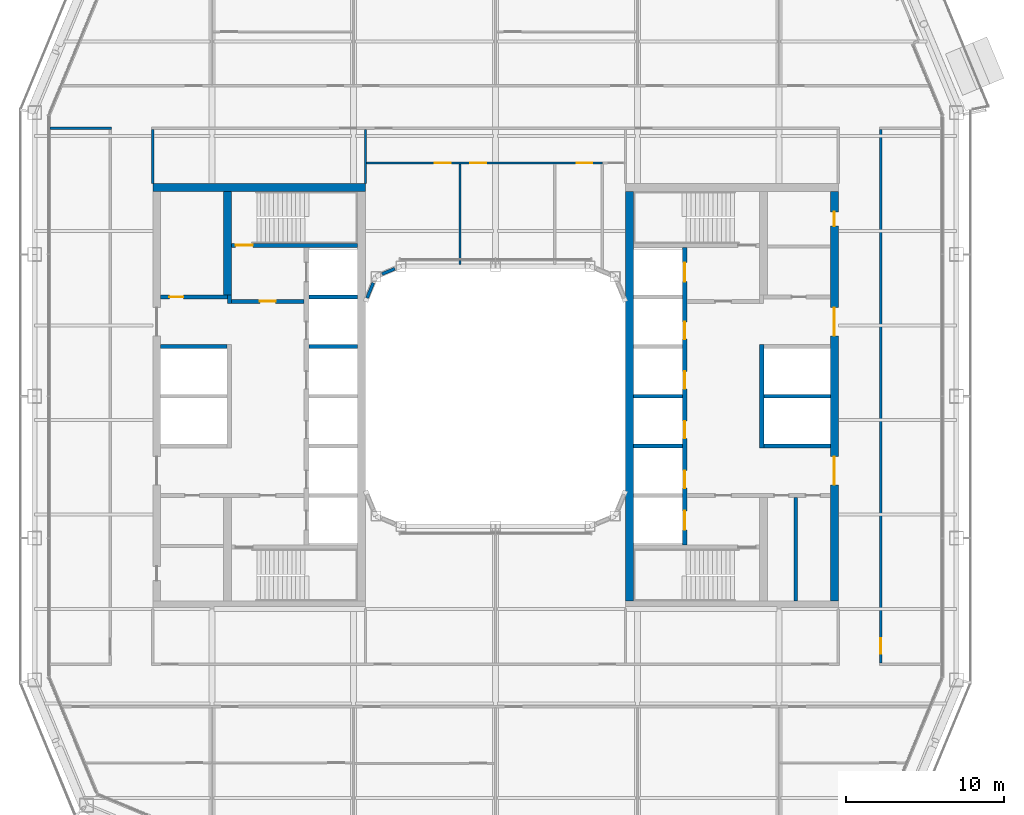
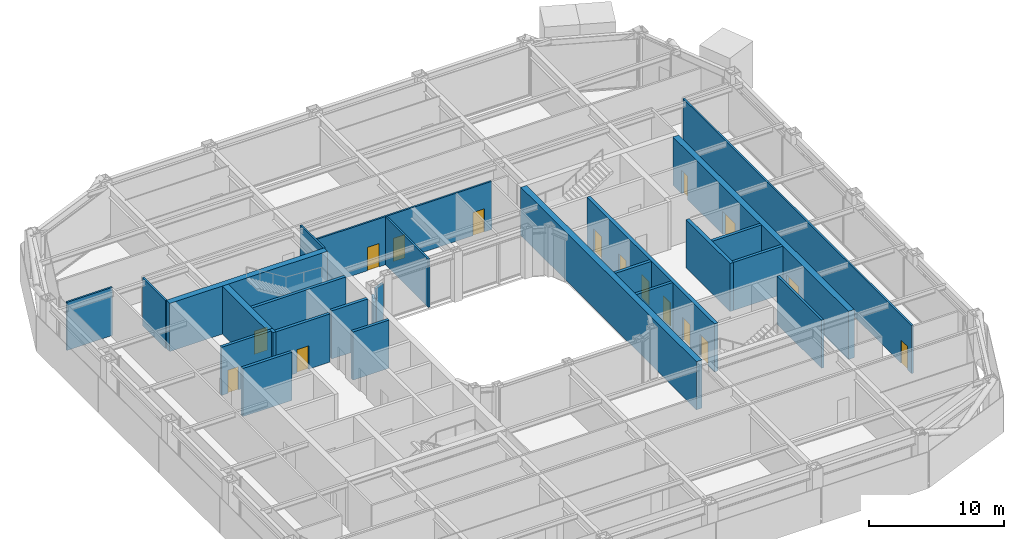
# One storey, part 13 of 24: 26 walls, 16 doors, 16 openings.
"""IFC4 building model written with IfcOpenShell, lengths in metres."""

from ifc_helpers import new_model, si_unit, direction, frame, frame_2d, origin, place, context, subcontext, project, spatial, rectangle, extrude, material, layer, layer_set, type_object, element, fill, save


model = new_model("IFC4")

# Units and contexts
model_context = context("Model", 3, precision=1e-05, world=origin(), true_north=direction((0.0, 1.0)))
body_context = subcontext(model_context, "Body", "Model", "MODEL_VIEW")
ifc_project = project(units=[si_unit("LENGTHUNIT", "METRE"), si_unit("AREAUNIT", "SQUARE_METRE"), si_unit("VOLUMEUNIT", "CUBIC_METRE"), si_unit("PLANEANGLEUNIT", "RADIAN"), si_unit("MASSUNIT", "GRAM", prefix="KILO")], contexts=[model_context])

# Site, building, storey
site_placement = place(None, origin())
site = spatial("IfcSite", under=ifc_project, at=site_placement, CompositionType="ELEMENT")
building_placement = place(site_placement, origin())
building = spatial("IfcBuilding", under=site, at=building_placement, Name="Siwar Civic Tower", CompositionType="ELEMENT")
storey_placement = place(building_placement, frame((0.0, 0.0, 149.699951171875)))
storey = spatial("IfcBuildingStorey", under=building, at=storey_placement, Name="L32", CompositionType="ELEMENT", Elevation=149.699951171875)

# Wall
ifc_material_1 = material(Name="Gypsum board on steel studs", Category="steel")
ifc_layer_1 = layer(ifc_material_1, 0.199951171875)
ifc_layer_set_1 = layer_set([ifc_layer_1], Name="Gypsum board on steel studs")
wall_type_1 = type_object("IfcWallType", Name="CORE-PARTITION-200", PredefinedType="PARTITIONING", material=ifc_layer_set_1)
wall_1_placement = place(storey_placement, frame((19.050048828125, -13.0, 0.0), z_axis=(0.0, 0.0, 1.0), x_axis=(0.0, 1.0, 0.0)))
element("IfcWall", 1, at=wall_1_placement, inside=storey, type_object=wall_type_1, Name="Core partition E", PredefinedType="PARTITIONING", context=body_context, shape_type="SweptSolid", body=[
    extrude(rectangle(XDim=6.574951171875, YDim=0.199951171875, at=frame_2d((3.28759765625, 0.0))), origin(), (0.0, 0.0, 1.0), 4.35009765625),
])

# Wall, opening, door
ifc_material_2 = material(Name="Concrete C60/75", Category="concrete")
ifc_layer_2 = layer(ifc_material_2, 0.25)
ifc_layer_set_2 = layer_set([ifc_layer_2], Name="Concrete C60/75")
wall_type_2 = type_object("IfcWallType", Name="CORE-WALL-RC250", PredefinedType="SHEAR", material=ifc_layer_set_2)
wall_2_placement = place(storey_placement, frame((-12.14990234375, 6.02490234375, 0.0), z_axis=(0.0, 0.0, 1.0), x_axis=(-1.0, 0.0, 0.0)))
wall_2 = element("IfcWall", 2, at=wall_2_placement, inside=storey, type_object=wall_type_2, Name="Core wall W", PredefinedType="SHEAR", context=body_context, shape_type="SweptSolid", body=[
    extrude(rectangle(XDim=4.60009765625, YDim=0.25, at=frame_2d((2.300048828125, 0.0))), origin(), (0.0, 0.0, 1.0), 4.35009765625),
])
opening_1_placement = place(wall_2_placement, frame((1.800048828125, 0.0, 0.0)))
opening_1 = element("IfcOpeningElement", 3, at=opening_1_placement, cuts=wall_2, Name="Opening L32-CW01", PredefinedType="OPENING", context=body_context, shape_type="SweptSolid", body=[
    extrude(rectangle(XDim=1.0, YDim=2.10009765625, at=frame_2d((0.5, 1.050048828125))), frame((0.0, 0.135009765625, 0.0), z_axis=(0.0, -1.0, 0.0), x_axis=(1.0, 0.0, 0.0)), (0.0, 0.0, 1.0), 0.27001953125),
])
ifc_material_3 = material(Name="Steel door leaf", Category="steel")
door_type_1 = type_object("IfcDoorType", Name="CORE-DOOR-FD30S", OperationType="SINGLE_SWING_LEFT", PredefinedType="DOOR", material=ifc_material_3)
door_1_placement = place(opening_1_placement, origin())
door_1 = element("IfcDoor", 4, at=door_1_placement, inside=storey, type_object=door_type_1, Name="Firefighting lobby door L32-CW01", OperationType="SINGLE_SWING_LEFT", OverallHeight=2.10009765625, OverallWidth=1.0, PredefinedType="DOOR", context=body_context, shape_type="SweptSolid", body=[
    extrude(rectangle(XDim=1.0, YDim=2.10009765625, at=frame_2d((0.5, 1.050048828125))), frame((0.0, 0.02490234375, 0.0), z_axis=(0.0, -1.0, 0.0), x_axis=(1.0, 0.0, 0.0)), (0.0, 0.0, 1.0), 0.050048828125),
])
fill(opening_1, door_1)

# Wall
wall_3_placement = place(storey_placement, frame((-16.875, 5.89990234375, 0.0), z_axis=(0.0, 0.0, 1.0), x_axis=(0.0, 1.0, 0.0)))
element("IfcWall", 5, at=wall_3_placement, inside=storey, type_object=wall_type_2, Name="Core wall W", PredefinedType="SHEAR", context=body_context, shape_type="SweptSolid", body=[
    extrude(rectangle(XDim=0.525146484375, YDim=0.25, at=frame_2d((0.2626953125, 0.0))), origin(), (0.0, 0.0, 1.0), 4.35009765625),
])

# Wall, opening, door
wall_4_placement = place(storey_placement, frame((-17.0, 6.300048828125, 0.0), z_axis=(0.0, 0.0, 1.0), x_axis=(-1.0, 0.0, 0.0)))
wall_4 = element("IfcWall", 6, at=wall_4_placement, inside=storey, type_object=wall_type_2, Name="Core wall W", PredefinedType="SHEAR", context=body_context, shape_type="SweptSolid", body=[
    extrude(rectangle(XDim=4.25, YDim=0.25, at=frame_2d((2.125, 0.0))), origin(), (0.0, 0.0, 1.0), 4.35009765625),
])
opening_2_placement = place(wall_4_placement, frame((2.800048828125, 0.0, 0.0)))
opening_2 = element("IfcOpeningElement", 7, at=opening_2_placement, cuts=wall_4, Name="Opening L32-CW13", PredefinedType="OPENING", context=body_context, shape_type="SweptSolid", body=[
    extrude(rectangle(XDim=0.89990234375, YDim=2.10009765625, at=frame_2d((0.449951171875, 1.050048828125))), frame((0.0, 0.135009765625, 0.0), z_axis=(0.0, -1.0, 0.0), x_axis=(1.0, 0.0, 0.0)), (0.0, 0.0, 1.0), 0.27001953125),
])
ifc_material_4 = material(Name="Steel door leaf", Category="steel")
door_type_2 = type_object("IfcDoorType", Name="CORE-DOOR-ROOM", OperationType="SINGLE_SWING_LEFT", PredefinedType="DOOR", material=ifc_material_4)
door_2_placement = place(opening_2_placement, origin())
door_2 = element("IfcDoor", 8, at=door_2_placement, inside=storey, type_object=door_type_2, Name="Core room door L32-CW13", OperationType="SINGLE_SWING_RIGHT", OverallHeight=2.10009765625, OverallWidth=0.89990234375, PredefinedType="DOOR", context=body_context, shape_type="SweptSolid", body=[
    extrude(rectangle(XDim=0.89990234375, YDim=2.10009765625, at=frame_2d((0.449951171875, 1.050048828125))), frame((0.0, 0.02490234375, 0.0), z_axis=(0.0, -1.0, 0.0), x_axis=(1.0, 0.0, 0.0)), (0.0, 0.0, 1.0), 0.050048828125),
])
fill(opening_2, door_2)

# Walls
wall_5_placement = place(storey_placement, frame((-17.050048828125, 3.14990234375, 0.0), z_axis=(0.0, 0.0, 1.0), x_axis=(-1.0, 0.0, 0.0)))
element("IfcWall", 9, at=wall_5_placement, inside=storey, type_object=wall_type_2, Name="Core wall W", PredefinedType="SHEAR", context=body_context, shape_type="SweptSolid", body=[
    extrude(rectangle(XDim=4.199951171875, YDim=0.25, at=frame_2d((2.10009765625, 0.0))), origin(), (0.0, 0.0, 1.0), 4.35009765625),
])
for number, where, z_axis, x_axis, name in (
    (10, (-8.75, 3.14990234375, 0.0), (0.0, 0.0, 1.0), (-1.0, 0.0, 0.0), "Core wall W"),
    (11, (-8.75, 6.300048828125, 0.0), (0.0, 0.0, 1.0), (-1.0, 0.0, 0.0), "Core wall W"),
):
    element("IfcWall", number, at=place(storey_placement, frame(where, z_axis=z_axis, x_axis=x_axis)), inside=storey, type_object=wall_type_2, Name=name, PredefinedType="SHEAR", context=body_context, shape_type="SweptSolid", body=[
        extrude(rectangle(XDim=3.10009765625, YDim=0.25, at=frame_2d((1.550048828125, 0.0))), origin(), (0.0, 0.0, 1.0), 4.35009765625),
    ])

# Wall, opening, door
wall_6_placement = place(storey_placement, frame((-8.75, 9.574951171875, 0.0), z_axis=(0.0, 0.0, 1.0), x_axis=(-1.0, 0.0, 0.0)))
wall_6 = element("IfcWall", 12, at=wall_6_placement, inside=storey, type_object=wall_type_2, Name="Core wall W", PredefinedType="SHEAR", context=body_context, shape_type="SweptSolid", body=[
    extrude(rectangle(XDim=8.0, YDim=0.25, at=frame_2d((4.0, 0.0))), origin(), (0.0, 0.0, 1.0), 4.35009765625),
])
opening_3_placement = place(wall_6_placement, frame((6.64990234375, 0.0, 0.0)))
opening_3 = element("IfcOpeningElement", 13, at=opening_3_placement, cuts=wall_6, Name="Opening L32-CW03", PredefinedType="OPENING", context=body_context, shape_type="SweptSolid", body=[
    extrude(rectangle(XDim=1.10009765625, YDim=2.10009765625, at=frame_2d((0.550048828125, 1.050048828125))), frame((0.0, 0.135009765625, 0.0), z_axis=(0.0, -1.0, 0.0), x_axis=(1.0, 0.0, 0.0)), (0.0, 0.0, 1.0), 0.27001953125),
])
ifc_material_5 = material(Name="Steel door leaf", Category="steel")
door_type_3 = type_object("IfcDoorType", Name="CORE-DOOR-FD60S", OperationType="SINGLE_SWING_LEFT", PredefinedType="DOOR", material=ifc_material_5)
door_3_placement = place(opening_3_placement, origin())
door_3 = element("IfcDoor", 14, at=door_3_placement, inside=storey, type_object=door_type_3, Name="Stair door L32-CW03", OperationType="SINGLE_SWING_RIGHT", OverallHeight=2.10009765625, OverallWidth=1.10009765625, PredefinedType="DOOR", context=body_context, shape_type="SweptSolid", body=[
    extrude(rectangle(XDim=1.10009765625, YDim=2.10009765625, at=frame_2d((0.550048828125, 1.050048828125))), frame((0.0, 0.02490234375, 0.0), z_axis=(0.0, -1.0, 0.0), x_axis=(1.0, 0.0, 0.0)), (0.0, 0.0, 1.0), 0.050048828125),
])
fill(opening_3, door_3)

# Walls
for number, where, z_axis, x_axis, name in (
    (15, (17.050048828125, 0.0, 0.0), (0.0, 0.0, 1.0), (1.0, 0.0, 0.0), "Core wall E"),
    (16, (17.050048828125, -3.14990234375, 0.0), (0.0, 0.0, 1.0), (1.0, 0.0, 0.0), "Core wall E"),
):
    element("IfcWall", number, at=place(storey_placement, frame(where, z_axis=z_axis, x_axis=x_axis)), inside=storey, type_object=wall_type_2, Name=name, PredefinedType="SHEAR", context=body_context, shape_type="SweptSolid", body=[
        extrude(rectangle(XDim=4.199951171875, YDim=0.25, at=frame_2d((2.10009765625, 0.0))), origin(), (0.0, 0.0, 1.0), 4.35009765625),
    ])
for number, where, z_axis, x_axis, name in (
    (17, (8.75, 0.0, 0.0), (0.0, 0.0, 1.0), (1.0, 0.0, 0.0), "Core wall E"),
    (18, (8.75, -3.14990234375, 0.0), (0.0, 0.0, 1.0), (1.0, 0.0, 0.0), "Core wall E"),
):
    element("IfcWall", number, at=place(storey_placement, frame(where, z_axis=z_axis, x_axis=x_axis)), inside=storey, type_object=wall_type_2, Name=name, PredefinedType="SHEAR", context=body_context, shape_type="SweptSolid", body=[
        extrude(rectangle(XDim=3.10009765625, YDim=0.25, at=frame_2d((1.550048828125, 0.0))), origin(), (0.0, 0.0, 1.0), 4.35009765625),
    ])

# Wall, openings, doors
ifc_material_6 = material(Name="Concrete C60/75", Category="concrete")
ifc_layer_3 = layer(ifc_material_6, 0.300048828125)
ifc_layer_set_3 = layer_set([ifc_layer_3], Name="Concrete C60/75")
wall_type_3 = type_object("IfcWallType", Name="CORE-WALL-RC300", PredefinedType="SHEAR", material=ifc_layer_set_3)
wall_7_placement = place(storey_placement, frame((12.0, -9.449951171875, 0.0), z_axis=(0.0, 0.0, 1.0), x_axis=(0.0, 1.0, 0.0)))
wall_7 = element("IfcWall", 19, at=wall_7_placement, inside=storey, type_object=wall_type_3, Name="Core wall E", PredefinedType="SHEAR", context=body_context, shape_type="SweptSolid", body=[
    extrude(rectangle(XDim=18.89990234375, YDim=0.300048828125, at=frame_2d((9.449951171875, 0.0))), origin(), (0.0, 0.0, 1.0), 4.35009765625),
])
opening_4_placement = place(wall_7_placement, frame((3.625, 0.0, 0.0)))
opening_4 = element("IfcOpeningElement", 20, at=opening_4_placement, cuts=wall_7, Name="Opening L32-CE07", PredefinedType="OPENING", context=body_context, shape_type="SweptSolid", body=[
    extrude(rectangle(XDim=1.10009765625, YDim=2.10009765625, at=frame_2d((0.550048828125, 1.050048828125))), frame((0.0, 0.16015625, 0.0), z_axis=(0.0, -1.0, 0.0), x_axis=(1.0, 0.0, 0.0)), (0.0, 0.0, 1.0), 0.320068359375),
])
opening_5_placement = place(wall_7_placement, frame((6.77490234375, 0.0, 0.0)))
opening_5 = element("IfcOpeningElement", 21, at=opening_5_placement, cuts=wall_7, Name="Opening L32-CE08", PredefinedType="OPENING", context=body_context, shape_type="SweptSolid", body=[
    extrude(rectangle(XDim=1.10009765625, YDim=2.10009765625, at=frame_2d((0.550048828125, 1.050048828125))), frame((0.0, 0.16015625, 0.0), z_axis=(0.0, -1.0, 0.0), x_axis=(1.0, 0.0, 0.0)), (0.0, 0.0, 1.0), 0.320068359375),
])
opening_6_placement = place(wall_7_placement, frame((9.925048828125, 0.0, 0.0)))
opening_6 = element("IfcOpeningElement", 22, at=opening_6_placement, cuts=wall_7, Name="Opening L32-CE09", PredefinedType="OPENING", context=body_context, shape_type="SweptSolid", body=[
    extrude(rectangle(XDim=1.10009765625, YDim=2.10009765625, at=frame_2d((0.550048828125, 1.050048828125))), frame((0.0, 0.16015625, 0.0), z_axis=(0.0, -1.0, 0.0), x_axis=(1.0, 0.0, 0.0)), (0.0, 0.0, 1.0), 0.320068359375),
])
opening_7_placement = place(wall_7_placement, frame((13.074951171875, 0.0, 0.0)))
opening_7 = element("IfcOpeningElement", 23, at=opening_7_placement, cuts=wall_7, Name="Opening L32-CE10", PredefinedType="OPENING", context=body_context, shape_type="SweptSolid", body=[
    extrude(rectangle(XDim=1.10009765625, YDim=2.10009765625, at=frame_2d((0.550048828125, 1.050048828125))), frame((0.0, 0.16015625, 0.0), z_axis=(0.0, -1.0, 0.0), x_axis=(1.0, 0.0, 0.0)), (0.0, 0.0, 1.0), 0.320068359375),
])
opening_8_placement = place(wall_7_placement, frame((16.72509765625, 0.0, 0.0)))
opening_8 = element("IfcOpeningElement", 24, at=opening_8_placement, cuts=wall_7, Name="Opening L32-CE11", PredefinedType="OPENING", context=body_context, shape_type="SweptSolid", body=[
    extrude(rectangle(XDim=1.199951171875, YDim=2.10009765625, at=frame_2d((0.60009765625, 1.050048828125))), frame((0.0, 0.16015625, 0.0), z_axis=(0.0, -1.0, 0.0), x_axis=(1.0, 0.0, 0.0)), (0.0, 0.0, 1.0), 0.320068359375),
])
opening_9_placement = place(wall_7_placement, frame((0.97509765625, 0.0, 0.0)))
opening_9 = element("IfcOpeningElement", 25, at=opening_9_placement, cuts=wall_7, Name="Opening L32-CE12", PredefinedType="OPENING", context=body_context, shape_type="SweptSolid", body=[
    extrude(rectangle(XDim=1.199951171875, YDim=2.10009765625, at=frame_2d((0.60009765625, 1.050048828125))), frame((0.0, 0.16015625, 0.0), z_axis=(0.0, -1.0, 0.0), x_axis=(1.0, 0.0, 0.0)), (0.0, 0.0, 1.0), 0.320068359375),
])
ifc_material_7 = material(Name="Steel door leaf", Category="steel")
door_type_4 = type_object("IfcDoorType", Name="CORE-DOOR-LD", OperationType="DOUBLE_DOOR_SLIDING", PredefinedType="DOOR", material=ifc_material_7)
door_4_placement = place(opening_4_placement, origin())
door_4 = element("IfcDoor", 26, at=door_4_placement, inside=storey, type_object=door_type_4, Name="Landing door LR5 L32-CE07", OperationType="DOUBLE_DOOR_SLIDING", OverallHeight=2.10009765625, OverallWidth=1.10009765625, PredefinedType="DOOR", context=body_context, shape_type="SweptSolid", body=[
    extrude(rectangle(XDim=1.10009765625, YDim=2.10009765625, at=frame_2d((0.550048828125, 1.050048828125))), frame((0.0, 0.02490234375, 0.0), z_axis=(0.0, -1.0, 0.0), x_axis=(1.0, 0.0, 0.0)), (0.0, 0.0, 1.0), 0.050048828125),
])
fill(opening_4, door_4)
door_5_placement = place(opening_5_placement, origin())
door_5 = element("IfcDoor", 27, at=door_5_placement, inside=storey, type_object=door_type_4, Name="Landing door LR6 L32-CE08", OperationType="DOUBLE_DOOR_SLIDING", OverallHeight=2.10009765625, OverallWidth=1.10009765625, PredefinedType="DOOR", context=body_context, shape_type="SweptSolid", body=[
    extrude(rectangle(XDim=1.10009765625, YDim=2.10009765625, at=frame_2d((0.550048828125, 1.050048828125))), frame((0.0, 0.02490234375, 0.0), z_axis=(0.0, -1.0, 0.0), x_axis=(1.0, 0.0, 0.0)), (0.0, 0.0, 1.0), 0.050048828125),
])
fill(opening_5, door_5)
door_6_placement = place(opening_6_placement, origin())
door_6 = element("IfcDoor", 28, at=door_6_placement, inside=storey, type_object=door_type_4, Name="Landing door LR7 L32-CE09", OperationType="DOUBLE_DOOR_SLIDING", OverallHeight=2.10009765625, OverallWidth=1.10009765625, PredefinedType="DOOR", context=body_context, shape_type="SweptSolid", body=[
    extrude(rectangle(XDim=1.10009765625, YDim=2.10009765625, at=frame_2d((0.550048828125, 1.050048828125))), frame((0.0, 0.02490234375, 0.0), z_axis=(0.0, -1.0, 0.0), x_axis=(1.0, 0.0, 0.0)), (0.0, 0.0, 1.0), 0.050048828125),
])
fill(opening_6, door_6)
door_7_placement = place(opening_7_placement, origin())
door_7 = element("IfcDoor", 29, at=door_7_placement, inside=storey, type_object=door_type_4, Name="Landing door LR8 L32-CE10", OperationType="DOUBLE_DOOR_SLIDING", OverallHeight=2.10009765625, OverallWidth=1.10009765625, PredefinedType="DOOR", context=body_context, shape_type="SweptSolid", body=[
    extrude(rectangle(XDim=1.10009765625, YDim=2.10009765625, at=frame_2d((0.550048828125, 1.050048828125))), frame((0.0, 0.02490234375, 0.0), z_axis=(0.0, -1.0, 0.0), x_axis=(1.0, 0.0, 0.0)), (0.0, 0.0, 1.0), 0.050048828125),
])
fill(opening_7, door_7)
ifc_material_8 = material(Name="Steel door leaf", Category="steel")
door_type_5 = type_object("IfcDoorType", Name="CORE-DOOR-LDW", OperationType="DOUBLE_DOOR_SLIDING", PredefinedType="DOOR", material=ifc_material_8)
door_8_placement = place(opening_8_placement, origin())
door_8 = element("IfcDoor", 30, at=door_8_placement, inside=storey, type_object=door_type_5, Name="Landing door FF2 L32-CE11", OperationType="DOUBLE_DOOR_SLIDING", OverallHeight=2.10009765625, OverallWidth=1.199951171875, PredefinedType="DOOR", context=body_context, shape_type="SweptSolid", body=[
    extrude(rectangle(XDim=1.199951171875, YDim=2.10009765625, at=frame_2d((0.60009765625, 1.050048828125))), frame((0.0, 0.02490234375, 0.0), z_axis=(0.0, -1.0, 0.0), x_axis=(1.0, 0.0, 0.0)), (0.0, 0.0, 1.0), 0.050048828125),
])
fill(opening_8, door_8)
door_9_placement = place(opening_9_placement, origin())
door_9 = element("IfcDoor", 31, at=door_9_placement, inside=storey, type_object=door_type_5, Name="Landing door SV2 L32-CE12", OperationType="DOUBLE_DOOR_SLIDING", OverallHeight=2.10009765625, OverallWidth=1.199951171875, PredefinedType="DOOR", context=body_context, shape_type="SweptSolid", body=[
    extrude(rectangle(XDim=1.199951171875, YDim=2.10009765625, at=frame_2d((0.60009765625, 1.050048828125))), frame((0.0, 0.02490234375, 0.0), z_axis=(0.0, -1.0, 0.0), x_axis=(1.0, 0.0, 0.0)), (0.0, 0.0, 1.0), 0.050048828125),
])
fill(opening_9, door_9)

# Walls
wall_8_placement = place(storey_placement, frame((16.89990234375, -3.27490234375, 0.0), z_axis=(0.0, 0.0, 1.0), x_axis=(0.0, 1.0, 0.0)))
element("IfcWall", 32, at=wall_8_placement, inside=storey, type_object=wall_type_3, Name="Core wall E", PredefinedType="SHEAR", context=body_context, shape_type="SweptSolid", body=[
    extrude(rectangle(XDim=6.5498046875, YDim=0.300048828125, at=frame_2d((3.27490234375, 0.0))), origin(), (0.0, 0.0, 1.0), 4.35009765625),
])
ifc_material_9 = material(Name="Concrete C60/75", Category="concrete")
ifc_layer_4 = layer(ifc_material_9, 0.5)
ifc_layer_set_4 = layer_set([ifc_layer_4], Name="Concrete C60/75")
wall_type_4 = type_object("IfcWallType", Name="CORE-WALL-RC500", PredefinedType="SHEAR", material=ifc_layer_set_4)
wall_9_placement = place(storey_placement, frame((-17.0, 6.425048828125, 0.0), z_axis=(0.0, 0.0, 1.0), x_axis=(0.0, 1.0, 0.0)))
element("IfcWall", 33, at=wall_9_placement, inside=storey, type_object=wall_type_4, Name="Core wall W", PredefinedType="SHEAR", context=body_context, shape_type="SweptSolid", body=[
    extrude(rectangle(XDim=6.574951171875, YDim=0.5, at=frame_2d((3.28759765625, 0.0))), origin(), (0.0, 0.0, 1.0), 4.35009765625),
])
wall_10_placement = place(storey_placement, frame((-8.25, 13.25, 0.0), z_axis=(0.0, 0.0, 1.0), x_axis=(-1.0, 0.0, 0.0)))
element("IfcWall", 34, at=wall_10_placement, inside=storey, type_object=wall_type_4, Name="Core wall W", PredefinedType="SHEAR", context=body_context, shape_type="SweptSolid", body=[
    extrude(rectangle(XDim=13.5, YDim=0.5, at=frame_2d((6.75, 0.0))), origin(), (0.0, 0.0, 1.0), 4.35009765625),
])

# Wall, openings, doors
wall_11_placement = place(storey_placement, frame((21.5, -13.0, 0.0), z_axis=(0.0, 0.0, 1.0), x_axis=(0.0, 1.0, 0.0)))
wall_11 = element("IfcWall", 35, at=wall_11_placement, inside=storey, type_object=wall_type_4, Name="Core wall E", PredefinedType="SHEAR", context=body_context, shape_type="SweptSolid", body=[
    extrude(rectangle(XDim=26.0, YDim=0.5, at=frame_2d((13.0, 0.0))), origin(), (0.0, 0.0, 1.0), 4.35009765625),
])
opening_10_placement = place(wall_11_placement, frame((16.824951171875, 0.0, 0.0)))
opening_10 = element("IfcOpeningElement", 36, at=opening_10_placement, cuts=wall_11, Name="Opening L32-CE05", PredefinedType="OPENING", context=body_context, shape_type="SweptSolid", body=[
    extrude(rectangle(XDim=1.800048828125, YDim=2.10009765625, at=frame_2d((0.89990234375, 1.050048828125))), frame((0.0, 0.260009765625, 0.0), z_axis=(0.0, -1.0, 0.0), x_axis=(1.0, 0.0, 0.0)), (0.0, 0.0, 1.0), 0.52001953125),
])
opening_11_placement = place(wall_11_placement, frame((7.375, 0.0, 0.0)))
opening_11 = element("IfcOpeningElement", 37, at=opening_11_placement, cuts=wall_11, Name="Opening L32-CE06", PredefinedType="OPENING", context=body_context, shape_type="SweptSolid", body=[
    extrude(rectangle(XDim=1.800048828125, YDim=2.10009765625, at=frame_2d((0.89990234375, 1.050048828125))), frame((0.0, 0.260009765625, 0.0), z_axis=(0.0, -1.0, 0.0), x_axis=(1.0, 0.0, 0.0)), (0.0, 0.0, 1.0), 0.52001953125),
])
opening_12_placement = place(wall_11_placement, frame((23.800048828125, 0.0, 0.0)))
opening_12 = element("IfcOpeningElement", 38, at=opening_12_placement, cuts=wall_11, Name="Opening L32-CE14", PredefinedType="OPENING", context=body_context, shape_type="SweptSolid", body=[
    extrude(rectangle(XDim=0.89990234375, YDim=2.10009765625, at=frame_2d((0.449951171875, 1.050048828125))), frame((0.0, 0.260009765625, 0.0), z_axis=(0.0, -1.0, 0.0), x_axis=(1.0, 0.0, 0.0)), (0.0, 0.0, 1.0), 0.52001953125),
])
ifc_material_10 = material(Name="Steel door leaf", Category="steel")
door_type_6 = type_object("IfcDoorType", Name="CORE-DOOR-PORT", OperationType="DOUBLE_DOOR_DOUBLE_SWING", PredefinedType="DOOR", material=ifc_material_10)
door_10_placement = place(opening_10_placement, origin())
door_10 = element("IfcDoor", 39, at=door_10_placement, inside=storey, type_object=door_type_6, Name="Core entrance door L32-CE05", OperationType="DOUBLE_DOOR_DOUBLE_SWING", OverallHeight=2.10009765625, OverallWidth=1.800048828125, PredefinedType="DOOR", context=body_context, shape_type="SweptSolid", body=[
    extrude(rectangle(XDim=1.800048828125, YDim=2.10009765625, at=frame_2d((0.89990234375, 1.050048828125))), frame((0.0, 0.02490234375, 0.0), z_axis=(0.0, -1.0, 0.0), x_axis=(1.0, 0.0, 0.0)), (0.0, 0.0, 1.0), 0.050048828125),
])
fill(opening_10, door_10)
door_11_placement = place(opening_11_placement, origin())
door_11 = element("IfcDoor", 40, at=door_11_placement, inside=storey, type_object=door_type_6, Name="Core entrance door L32-CE06", OperationType="DOUBLE_DOOR_DOUBLE_SWING", OverallHeight=2.10009765625, OverallWidth=1.800048828125, PredefinedType="DOOR", context=body_context, shape_type="SweptSolid", body=[
    extrude(rectangle(XDim=1.800048828125, YDim=2.10009765625, at=frame_2d((0.89990234375, 1.050048828125))), frame((0.0, 0.02490234375, 0.0), z_axis=(0.0, -1.0, 0.0), x_axis=(1.0, 0.0, 0.0)), (0.0, 0.0, 1.0), 0.050048828125),
])
fill(opening_11, door_11)
door_12_placement = place(opening_12_placement, origin())
door_12 = element("IfcDoor", 41, at=door_12_placement, inside=storey, type_object=door_type_2, Name="Core room door L32-CE14", OperationType="SINGLE_SWING_RIGHT", OverallHeight=2.10009765625, OverallWidth=0.89990234375, PredefinedType="DOOR", context=body_context, shape_type="SweptSolid", body=[
    extrude(rectangle(XDim=0.89990234375, YDim=2.10009765625, at=frame_2d((0.449951171875, 1.050048828125))), frame((0.0, 0.02490234375, 0.0), z_axis=(0.0, -1.0, 0.0), x_axis=(1.0, 0.0, 0.0)), (0.0, 0.0, 1.0), 0.050048828125),
])
fill(opening_12, door_12)

# Wall
ifc_material_11 = material(Name="Concrete C60/75", Category="concrete")
ifc_layer_5 = layer(ifc_material_11, 0.5)
ifc_layer_set_5 = layer_set([ifc_layer_5], Name="Concrete C60/75")
wall_type_5 = type_object("IfcWallType", Name="CORE-WALL-RC500-EXT", PredefinedType="SHEAR", material=ifc_layer_set_5)
wall_12_placement = place(storey_placement, frame((8.5, -13.0, 0.0), z_axis=(0.0, 0.0, 1.0), x_axis=(0.0, 1.0, 0.0)))
element("IfcWall", 42, at=wall_12_placement, inside=storey, type_object=wall_type_5, Name="Core wall E", PredefinedType="SHEAR", context=body_context, shape_type="SweptSolid", body=[
    extrude(rectangle(XDim=26.0, YDim=0.5, at=frame_2d((13.0, 0.0))), origin(), (0.0, 0.0, 1.0), 4.35009765625),
])

# Wall, openings, doors
ifc_material_12 = material(Name="Gypsum board on steel studs", Category="steel")
ifc_layer_6 = layer(ifc_material_12, 0.14990234375)
ifc_layer_set_6 = layer_set([ifc_layer_6], Name="Gypsum board on steel studs")
wall_type_6 = type_object("IfcWallType", Name="CORRIDOR PARTITION 150 EI 30", PredefinedType="PARTITIONING", material=ifc_layer_set_6)
wall_13_placement = place(storey_placement, frame((-8.175048828125, 14.800048828125, 0.0), z_axis=(0.0, 0.0, 1.0), x_axis=(1.0, 0.0, 0.0)))
wall_13 = element("IfcWall", 43, at=wall_13_placement, inside=storey, type_object=wall_type_6, Name="L32/wall/P08", PredefinedType="PARTITIONING", context=body_context, shape_type="SweptSolid", body=[
    extrude(rectangle(XDim=14.955078125, YDim=0.14990234375, at=frame_2d((7.4775390625, 0.0))), origin(), (0.0, 0.0, 1.0), 4.35009765625),
])
opening_13_placement = place(wall_13_placement, frame((4.324951171875, 0.0, 0.0)))
opening_13 = element("IfcOpeningElement", 44, at=opening_13_placement, cuts=wall_13, Name="Opening D3", PredefinedType="OPENING", context=body_context, shape_type="SweptSolid", body=[
    extrude(rectangle(XDim=1.0, YDim=2.10009765625, at=frame_2d((0.5, 1.050048828125))), frame((0.0, 0.0849609375, 0.0), z_axis=(0.0, -1.0, 0.0), x_axis=(1.0, 0.0, 0.0)), (0.0, 0.0, 1.0), 0.169921875),
])
opening_14_placement = place(wall_13_placement, frame((6.574951171875, 0.0, 0.0)))
opening_14 = element("IfcOpeningElement", 45, at=opening_14_placement, cuts=wall_13, Name="Opening D3", PredefinedType="OPENING", context=body_context, shape_type="SweptSolid", body=[
    extrude(rectangle(XDim=1.0, YDim=2.10009765625, at=frame_2d((0.5, 1.050048828125))), frame((0.0, 0.0849609375, 0.0), z_axis=(0.0, -1.0, 0.0), x_axis=(1.0, 0.0, 0.0)), (0.0, 0.0, 1.0), 0.169921875),
])
opening_15_placement = place(wall_13_placement, frame((13.324951171875, 0.0, 0.0)))
opening_15 = element("IfcOpeningElement", 46, at=opening_15_placement, cuts=wall_13, Name="Opening D3", PredefinedType="OPENING", context=body_context, shape_type="SweptSolid", body=[
    extrude(rectangle(XDim=1.0, YDim=2.10009765625, at=frame_2d((0.5, 1.050048828125))), frame((0.0, 0.0849609375, 0.0), z_axis=(0.0, -1.0, 0.0), x_axis=(1.0, 0.0, 0.0)), (0.0, 0.0, 1.0), 0.169921875),
])
ifc_material_13 = material(Name="Timber, painted", Category="wood")
door_type_7 = type_object("IfcDoorType", Name="DOOR 1000 X 2100 WC", OperationType="SINGLE_SWING_LEFT", PredefinedType="DOOR", material=ifc_material_13)
door_13_placement = place(opening_13_placement, origin())
door_13 = element("IfcDoor", 47, at=door_13_placement, inside=storey, type_object=door_type_7, Name="L32-D22", OperationType="SINGLE_SWING_RIGHT", OverallHeight=2.10009765625, OverallWidth=1.0, PredefinedType="DOOR", context=body_context, shape_type="SweptSolid", body=[
    extrude(rectangle(XDim=1.0, YDim=2.10009765625, at=frame_2d((0.5, 1.050048828125))), frame((0.0, 0.02490234375, 0.0), z_axis=(0.0, -1.0, 0.0), x_axis=(1.0, 0.0, 0.0)), (0.0, 0.0, 1.0), 0.050048828125),
])
fill(opening_13, door_13)
door_14_placement = place(opening_14_placement, origin())
door_14 = element("IfcDoor", 48, at=door_14_placement, inside=storey, type_object=door_type_7, Name="L32-D23", OperationType="SINGLE_SWING_LEFT", OverallHeight=2.10009765625, OverallWidth=1.0, PredefinedType="DOOR", context=body_context, shape_type="SweptSolid", body=[
    extrude(rectangle(XDim=1.0, YDim=2.10009765625, at=frame_2d((0.5, 1.050048828125))), frame((0.0, 0.02490234375, 0.0), z_axis=(0.0, -1.0, 0.0), x_axis=(1.0, 0.0, 0.0)), (0.0, 0.0, 1.0), 0.050048828125),
])
fill(opening_14, door_14)
door_15_placement = place(opening_15_placement, origin())
door_15 = element("IfcDoor", 49, at=door_15_placement, inside=storey, type_object=door_type_7, Name="L32-D24", OperationType="SINGLE_SWING_RIGHT", OverallHeight=2.10009765625, OverallWidth=1.0, PredefinedType="DOOR", context=body_context, shape_type="SweptSolid", body=[
    extrude(rectangle(XDim=1.0, YDim=2.10009765625, at=frame_2d((0.5, 1.050048828125))), frame((0.0, 0.02490234375, 0.0), z_axis=(0.0, -1.0, 0.0), x_axis=(1.0, 0.0, 0.0)), (0.0, 0.0, 1.0), 0.050048828125),
])
fill(opening_15, door_15)

# Walls
wall_14_placement = place(storey_placement, frame((-28.260009765625, 17.0, 0.0), z_axis=(0.0, 0.0, 1.0), x_axis=(1.0, 0.0, 0.0)))
element("IfcWall", 50, at=wall_14_placement, inside=storey, type_object=wall_type_6, Name="L32/wall/P10", PredefinedType="PARTITIONING", context=body_context, shape_type="SweptSolid", body=[
    extrude(rectangle(XDim=3.885009765625, YDim=0.14990234375, at=frame_2d((1.9423828125, 0.0))), origin(), (0.0, 0.0, 1.0), 4.35009765625),
])
for number, where, z_axis, x_axis, name in (
    (51, (-21.75, 13.5, 0.0), (0.0, 0.0, 1.0), (0.0, 1.0, 0.0), "L32/wall/P20"),
    (52, (-8.25, 13.5, 0.0), (0.0, 0.0, 1.0), (0.0, 1.0, 0.0), "L32/wall/P27"),
):
    element("IfcWall", number, at=place(storey_placement, frame(where, z_axis=z_axis, x_axis=x_axis)), inside=storey, type_object=wall_type_6, Name=name, PredefinedType="PARTITIONING", context=body_context, shape_type="SweptSolid", body=[
        extrude(rectangle(XDim=3.425048828125, YDim=0.14990234375, at=frame_2d((1.71240234375, 0.0))), origin(), (0.0, 0.0, 1.0), 4.35009765625),
    ])
wall_15_placement = place(storey_placement, frame((-2.25, 8.3701171875, 0.0), z_axis=(0.0, 0.0, 1.0), x_axis=(0.0, 1.0, 0.0)))
element("IfcWall", 53, at=wall_15_placement, inside=storey, type_object=wall_type_6, Name="L32/wall/P28", PredefinedType="PARTITIONING", context=body_context, shape_type="SweptSolid", body=[
    extrude(rectangle(XDim=6.35498046875, YDim=0.14990234375, at=frame_2d((3.177490234375, 0.0))), origin(), (0.0, 0.0, 1.0), 4.35009765625),
])

# Wall, opening, door
wall_16_placement = place(storey_placement, frame((24.449951171875, -16.925048828125, 0.0), z_axis=(0.0, 0.0, 1.0), x_axis=(0.0, 1.0, 0.0)))
wall_16 = element("IfcWall", 54, at=wall_16_placement, inside=storey, type_object=wall_type_6, Name="L32/wall/P43", PredefinedType="PARTITIONING", context=body_context, shape_type="SweptSolid", body=[
    extrude(rectangle(XDim=33.85009765625, YDim=0.14990234375, at=frame_2d((16.925048828125, 0.0))), origin(), (0.0, 0.0, 1.0), 4.35009765625),
])
opening_16_placement = place(wall_16_placement, frame((0.574951171875, 0.0, 0.0)))
opening_16 = element("IfcOpeningElement", 55, at=opening_16_placement, cuts=wall_16, Name="Opening D1", PredefinedType="OPENING", context=body_context, shape_type="SweptSolid", body=[
    extrude(rectangle(XDim=1.0, YDim=2.10009765625, at=frame_2d((0.5, 1.050048828125))), frame((0.0, 0.0849609375, 0.0), z_axis=(0.0, -1.0, 0.0), x_axis=(1.0, 0.0, 0.0)), (0.0, 0.0, 1.0), 0.169921875),
])
ifc_material_14 = material(Name="Timber, painted", Category="wood")
door_type_8 = type_object("IfcDoorType", Name="DOOR 1000 X 2100 FD30", OperationType="SINGLE_SWING_LEFT", PredefinedType="DOOR", material=ifc_material_14)
door_16_placement = place(opening_16_placement, origin())
door_16 = element("IfcDoor", 56, at=door_16_placement, inside=storey, type_object=door_type_8, Name="L32-D33", OperationType="SINGLE_SWING_LEFT", OverallHeight=2.10009765625, OverallWidth=1.0, PredefinedType="DOOR", context=body_context, shape_type="SweptSolid", body=[
    extrude(rectangle(XDim=1.0, YDim=2.10009765625, at=frame_2d((0.5, 1.050048828125))), frame((0.0, 0.02490234375, 0.0), z_axis=(0.0, -1.0, 0.0), x_axis=(1.0, 0.0, 0.0)), (0.0, 0.0, 1.0), 0.050048828125),
])
fill(opening_16, door_16)

# Walls
ifc_material_15 = material(Name="Aluminium clad insulated panel", Category="aluminium")
ifc_layer_7 = layer(ifc_material_15, 0.199951171875)
ifc_layer_set_7 = layer_set([ifc_layer_7], Name="Aluminium clad insulated panel")
wall_type_7 = type_object("IfcWallType", Name="ENV-WALL-WELL", PredefinedType="STANDARD", material=ifc_layer_set_7)
wall_17_placement = place(storey_placement, frame((-6.392333984375, 8.08740234375, 0.0), z_axis=(0.0, 0.0, 1.0), x_axis=(-0.923894108428, -0.382648241093, 0.0)))
element("IfcWall", 57, at=wall_17_placement, inside=storey, type_object=wall_type_7, Name="Light well corner wall NW1", PredefinedType="STANDARD", context=body_context, shape_type="SweptSolid", body=[
    extrude(rectangle(XDim=0.872802734375, YDim=0.199951171875, at=frame_2d((0.4365234375, 0.0))), origin(), (0.0, 0.0, 1.0), 3.825927734375),
])
wall_18_placement = place(storey_placement, frame((-7.75341796875, 7.19873046875, 0.0), z_axis=(0.0, 0.0, 1.0), x_axis=(-0.382694858887, -0.923874799408, 0.0)))
element("IfcWall", 58, at=wall_18_placement, inside=storey, type_object=wall_type_7, Name="Light well corner wall NW2", PredefinedType="STANDARD", context=body_context, shape_type="SweptSolid", body=[
    extrude(rectangle(XDim=1.047607421875, YDim=0.199951171875, at=frame_2d((0.52392578125, 0.0))), origin(), (0.0, 0.0, 1.0), 3.825927734375),
])

save(model, "model.ifc")
